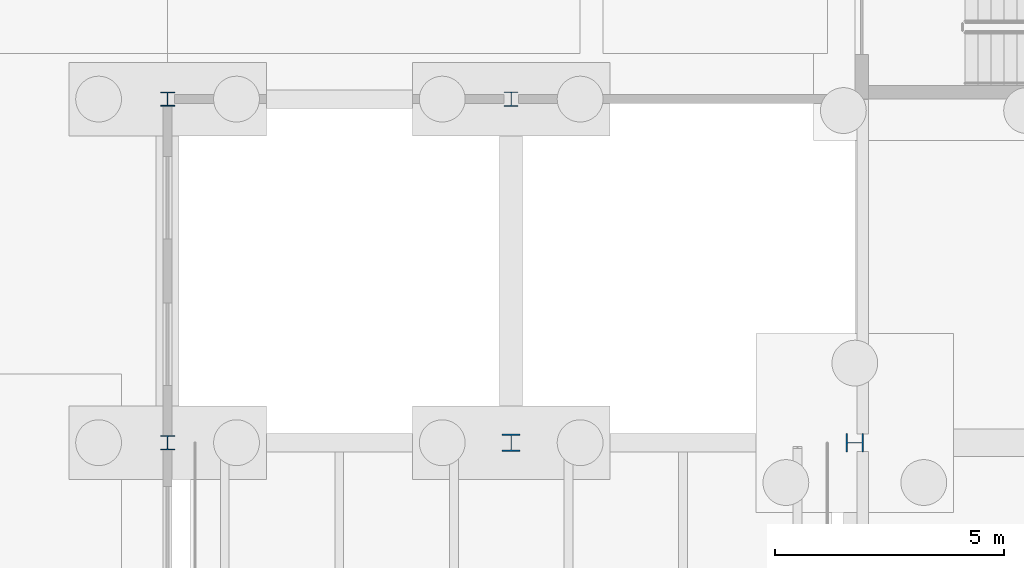
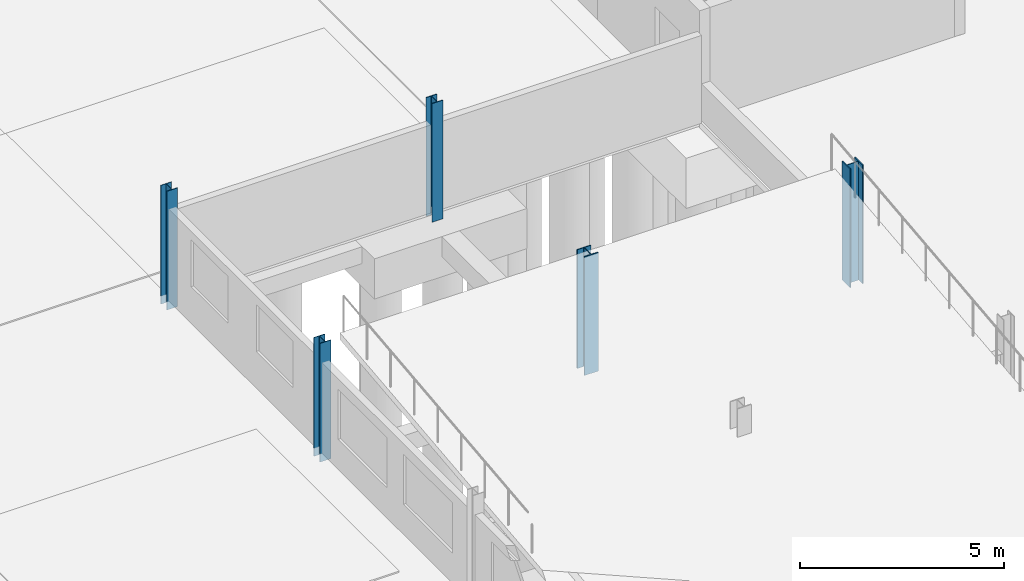
# One storey, part 32 of 130: 5 columns.
"""IFC4 building model written with IfcOpenShell, lengths in metres."""

from ifc_helpers import new_model, si_unit, direction, frame, origin, origin_2d, place, context, subcontext, project, spatial, i_section, extrude, material, material_profile, profile_set, type_object, element, save


model = new_model("IFC4")

# Units and contexts
model_context = context("Model", 3, precision=1e-05, world=origin(), true_north=direction((0.0, 1.0)))
body_context = subcontext(model_context, "Body", "Model", "MODEL_VIEW")
ifc_project = project(units=[si_unit("LENGTHUNIT", "METRE"), si_unit("AREAUNIT", "SQUARE_METRE"), si_unit("VOLUMEUNIT", "CUBIC_METRE"), si_unit("PLANEANGLEUNIT", "RADIAN"), si_unit("MASSUNIT", "GRAM", prefix="KILO")], contexts=[model_context])

# Site, building, storey
site_placement = place(None, origin())
site = spatial("IfcSite", under=ifc_project, at=site_placement, CompositionType="ELEMENT")
building_placement = place(site_placement, origin())
building = spatial("IfcBuilding", under=site, at=building_placement, Name="Parallax Yard Mobility Hub", CompositionType="ELEMENT")
storey_placement = place(building_placement, origin())
storey = spatial("IfcBuildingStorey", under=building, at=storey_placement, Name="L00", CompositionType="ELEMENT", Elevation=0.0)

# Columns
ifc_material = material(Name="Steel ASTM A992", Category="steel")
ifc_material_profile_1 = material_profile(ifc_material, i_section(OverallWidth=0.304931640625, OverallDepth=0.31201171875, WebThickness=0.010986328125, FlangeThickness=0.01708984375, FilletRadius=0.015380859375, at=origin_2d()), Name="W310x107")
ifc_profile_set_1 = profile_set([ifc_material_profile_1], Name="Steel ASTM A992")
column_type_1 = type_object("IfcColumnType", Name="W310x107 column", PredefinedType="COLUMN", material=ifc_profile_set_1)
column_placement = place(storey_placement, frame((187.5, 75.0, -0.25), z_axis=(0.0, 0.0, 1.0), x_axis=(1.0, 0.0, 0.0)))
element("IfcColumn", 1, at=column_placement, inside=storey, type_object=column_type_1, Name="Column C2 level L00 at L/26 of ramp house", PredefinedType="COLUMN", context=body_context, shape_type="SweptSolid", body=[
    extrude(i_section(OverallWidth=0.304931640625, OverallDepth=0.31201171875, WebThickness=0.010986328125, FlangeThickness=0.01708984375, FilletRadius=0.015380859375, at=origin_2d()), origin(), (0.0, 0.0, 1.0), 3.550048828125),
])
ifc_material_profile_2 = material_profile(ifc_material, i_section(OverallWidth=0.304931640625, OverallDepth=0.306884765625, WebThickness=0.010009765625, FlangeThickness=0.015380859375, FilletRadius=0.01513671875, at=origin_2d()), Name="W310x97")
ifc_profile_set_2 = profile_set([ifc_material_profile_2], Name="Steel ASTM A992")
column_type_2 = type_object("IfcColumnType", Name="W310x97 column", PredefinedType="COLUMN", material=ifc_profile_set_2)
for number, where, z_axis, x_axis, name in (
    (2, (180.0, 67.5, -0.25), (0.0, 0.0, 1.0), (1.0, 0.0, 0.0), "Column C1 level L00 at K/25 of ramp house"),
    (3, (180.0, 75.0, -0.25), (0.0, 0.0, 1.0), (1.0, 0.0, 0.0), "Column C1 level L00 at L/25 of ramp house"),
):
    element("IfcColumn", number, at=place(storey_placement, frame(where, z_axis=z_axis, x_axis=x_axis)), inside=storey, type_object=column_type_2, Name=name, PredefinedType="COLUMN", context=body_context, shape_type="SweptSolid", body=[
        extrude(i_section(OverallWidth=0.304931640625, OverallDepth=0.306884765625, WebThickness=0.010009765625, FlangeThickness=0.015380859375, FilletRadius=0.01513671875, at=origin_2d()), origin(), (0.0, 0.0, 1.0), 3.550048828125),
    ])
ifc_material_profile_3 = material_profile(ifc_material, i_section(OverallWidth=0.39404296875, OverallDepth=0.3759765625, WebThickness=0.017333984375, FlangeThickness=0.027587890625, FilletRadius=0.01513671875, at=origin_2d()), Name="W360x216")
ifc_profile_set_3 = profile_set([ifc_material_profile_3], Name="Steel ASTM A992")
column_type_3 = type_object("IfcColumnType", Name="W360x216 column", PredefinedType="COLUMN", material=ifc_profile_set_3)
for number, where, z_axis, x_axis, name in (
    (4, (187.5, 67.5, -0.25), (0.0, 0.0, 1.0), (1.0, 0.0, 0.0), "Column C9 level L00 at K/26 of ramp house"),
    (5, (195.0, 67.5, -0.25), (0.0, 0.0, 1.0), (0.0, 1.0, 0.0), "Column C9 level L00 at K/27 of ramped parking decks"),
):
    element("IfcColumn", number, at=place(storey_placement, frame(where, z_axis=z_axis, x_axis=x_axis)), inside=storey, type_object=column_type_3, Name=name, PredefinedType="COLUMN", context=body_context, shape_type="SweptSolid", body=[
        extrude(i_section(OverallWidth=0.39404296875, OverallDepth=0.3759765625, WebThickness=0.017333984375, FlangeThickness=0.027587890625, FilletRadius=0.01513671875, at=origin_2d()), origin(), (0.0, 0.0, 1.0), 3.550048828125),
    ])

save(model, "model.ifc")
